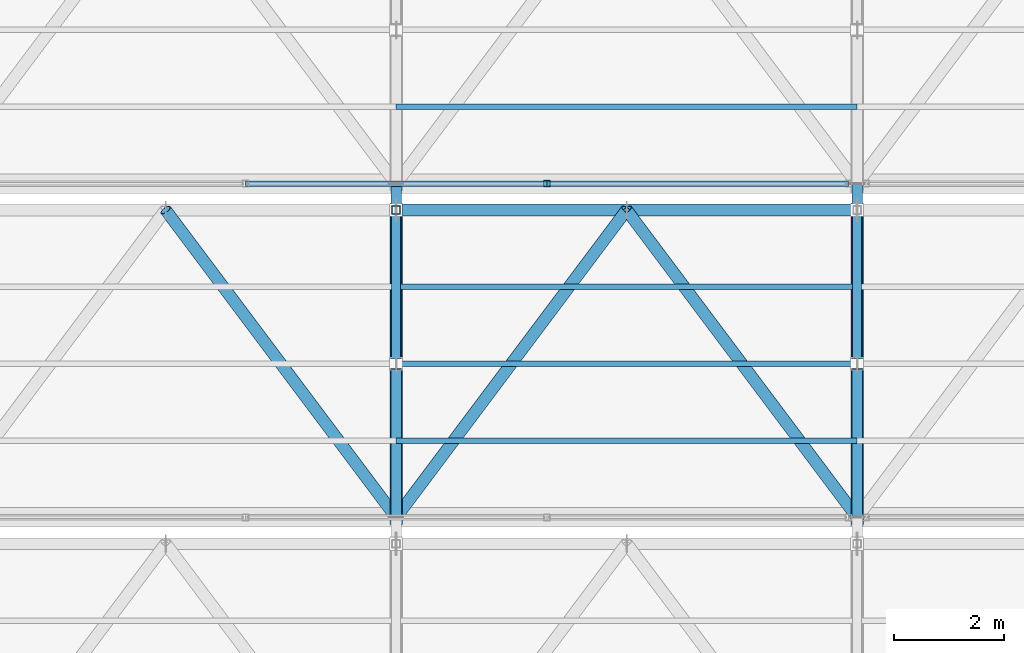
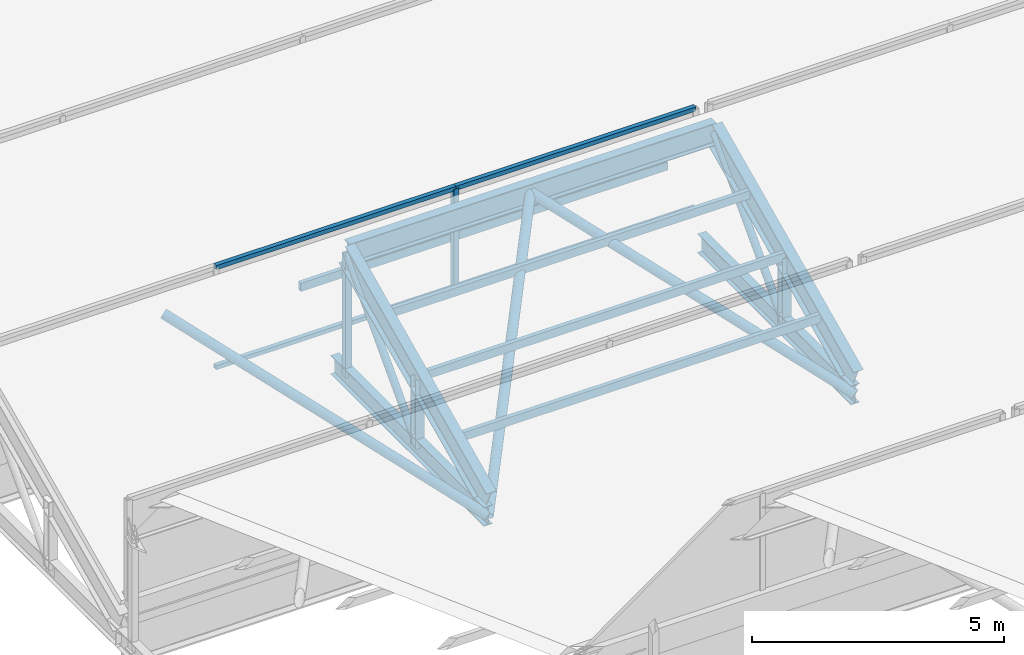
# One storey, part 101 of 217: 22 members, 1 element without a shape of its own.
"""IFC4 building model written with IfcOpenShell, lengths in metres."""

from ifc_helpers import new_model, si_unit, direction, frame, origin, origin_2d, place, context, subcontext, project, spatial, hollow_rectangle, hollow_circle, i_section, extrude, material, material_profile, profile_set, type_object, element, aggregate, save


model = new_model("IFC4")

# Units and contexts
model_context = context("Model", 3, precision=1e-05, world=origin(), true_north=direction((0.0, 1.0)))
body_context = subcontext(model_context, "Body", "Model", "MODEL_VIEW")
ifc_project = project(units=[si_unit("LENGTHUNIT", "METRE"), si_unit("AREAUNIT", "SQUARE_METRE"), si_unit("VOLUMEUNIT", "CUBIC_METRE"), si_unit("PLANEANGLEUNIT", "RADIAN"), si_unit("MASSUNIT", "GRAM", prefix="KILO")], contexts=[model_context])

# Site, building, storey
site_placement = place(None, origin())
site = spatial("IfcSite", under=ifc_project, at=site_placement, CompositionType="ELEMENT")
building_placement = place(site_placement, origin())
building = spatial("IfcBuilding", under=site, at=building_placement, Name="Zuvorla Pavilion Media Centre", CompositionType="ELEMENT")
storey_placement = place(building_placement, frame((0.0, 0.0, 9.60009765625)))
storey = spatial("IfcBuildingStorey", under=building, at=storey_placement, Name="L02", CompositionType="ELEMENT", Elevation=9.60009765625)

# Curtain wall, members
ifc_material_1 = material(Name="Unitised anodised aluminium and solar glass curtain wall", Category="aluminium")
curtain_wall_type = type_object("IfcCurtainWallType", Name="CW-SYS-88", PredefinedType="USERDEFINED", material=ifc_material_1)
curtain_wall_placement = place(storey_placement, origin())
curtain_wall = element("IfcCurtainWall", 1, at=curtain_wall_placement, inside=storey, type_object=curtain_wall_type, Name="L02 curtain wall CW88 208", ObjectType="CURTAIN WALL", PredefinedType="USERDEFINED")
ifc_material_2 = material(Name="Anodised aluminium 6063-T6", Category="aluminium")
ifc_material_profile_1 = material_profile(ifc_material_2, hollow_rectangle(XDim=0.1201171875, YDim=0.1201171875, WallThickness=0.0048828125, at=origin_2d()), Name="ALU MULL 120x120")
ifc_profile_set_1 = profile_set([ifc_material_profile_1], Name="Anodised aluminium 6063-T6")
member_type_1 = type_object("IfcMemberType", Name="CW-MULL-120", PredefinedType="MULLION", material=ifc_profile_set_1)
member_1_placement = place(storey_placement, frame((77.94677734375, 107.840087890625, 0.0), z_axis=(0.0, 0.0, 1.0), x_axis=(1.0, 0.0, 0.0)))
member_1 = element("IfcMember", 2, at=member_1_placement, type_object=member_type_1, Name="CW88 mullion 3", PredefinedType="MULLION", context=body_context, shape_type="SweptSolid", body=[
    extrude(hollow_rectangle(XDim=0.1201171875, YDim=0.1201171875, WallThickness=0.0048828125, at=origin_2d()), origin(), (0.0, 0.0, 1.0), 2.419921875),
])
ifc_material_profile_2 = material_profile(ifc_material_2, hollow_rectangle(XDim=0.10009765625, YDim=0.10009765625, WallThickness=0.00439453125, at=origin_2d()), Name="ALU TRAN 100x100")
ifc_profile_set_2 = profile_set([ifc_material_profile_2], Name="Anodised aluminium 6063-T6")
member_type_2 = type_object("IfcMemberType", Name="CW-TRAN-100", PredefinedType="USERDEFINED", material=ifc_profile_set_2)
member_2_placement = place(storey_placement, frame((72.453369140625, 107.840087890625, 0.0), z_axis=(1.0, 0.0, 0.0), x_axis=(0.0, 1.0, 0.0)))
member_2 = element("IfcMember", 3, at=member_2_placement, type_object=member_type_2, Name="CW88 transom 2.1", ObjectType="TRANSOM", PredefinedType="USERDEFINED", context=body_context, shape_type="SweptSolid", body=[
    extrude(hollow_rectangle(XDim=0.10009765625, YDim=0.10009765625, WallThickness=0.00439453125, at=origin_2d()), origin(), (0.0, 0.0, 1.0), 5.493408203125),
])
member_3_placement = place(storey_placement, frame((72.453369140625, 107.840087890625, 2.419921875), z_axis=(1.0, 0.0, 0.0), x_axis=(0.0, 1.0, 0.0)))
member_3 = element("IfcMember", 4, at=member_3_placement, type_object=member_type_2, Name="CW88 transom 2.2", ObjectType="TRANSOM", PredefinedType="USERDEFINED", context=body_context, shape_type="SweptSolid", body=[
    extrude(hollow_rectangle(XDim=0.10009765625, YDim=0.10009765625, WallThickness=0.00439453125, at=origin_2d()), origin(), (0.0, 0.0, 1.0), 5.493408203125),
])
member_4_placement = place(storey_placement, frame((77.94677734375, 107.840087890625, 0.0), z_axis=(1.0, 0.0, 0.0), x_axis=(0.0, 1.0, 0.0)))
member_4 = element("IfcMember", 5, at=member_4_placement, type_object=member_type_2, Name="CW88 transom 3.1", ObjectType="TRANSOM", PredefinedType="USERDEFINED", context=body_context, shape_type="SweptSolid", body=[
    extrude(hollow_rectangle(XDim=0.10009765625, YDim=0.10009765625, WallThickness=0.00439453125, at=origin_2d()), origin(), (0.0, 0.0, 1.0), 5.4931640625),
])
member_5_placement = place(storey_placement, frame((77.94677734375, 107.840087890625, 2.419921875), z_axis=(1.0, 0.0, 0.0), x_axis=(0.0, 1.0, 0.0)))
member_5 = element("IfcMember", 6, at=member_5_placement, type_object=member_type_2, Name="CW88 transom 3.2", ObjectType="TRANSOM", PredefinedType="USERDEFINED", context=body_context, shape_type="SweptSolid", body=[
    extrude(hollow_rectangle(XDim=0.10009765625, YDim=0.10009765625, WallThickness=0.00439453125, at=origin_2d()), origin(), (0.0, 0.0, 1.0), 5.4931640625),
])
aggregate(curtain_wall, [member_1, member_2, member_3, member_4, member_5])

# Members
ifc_material_3 = material(Name="Steel S355", Category="steel")
ifc_material_profile_3 = material_profile(ifc_material_3, hollow_circle(Radius=0.084228515625, WallThickness=0.008056640625, at=origin_2d()), Name="CHS 168.3x8")
ifc_profile_set_3 = profile_set([ifc_material_profile_3], Name="Steel S355")
member_type_3 = type_object("IfcMemberType", Name="MEM-BRC-CHS168", PredefinedType="BRACE", material=ifc_profile_set_3)
for number, where, z_axis, x_axis, name in (
    (7, (75.199951171875, 104.56005859375, -0.880126953125), (0.0, 0.68676242614, 0.726881950555), (-1.0, 0.0, 0.0), "L02 diagonal brace TB03 227"),
    (8, (83.60009765625, 104.56005859375, -0.880126953125), (0.0, 0.68676242614, 0.726881950555), (-1.0, 0.0, 0.0), "L02 diagonal brace TB03 232"),
):
    element("IfcMember", number, at=place(storey_placement, frame(where, z_axis=z_axis, x_axis=x_axis)), inside=storey, type_object=member_type_3, Name=name, PredefinedType="BRACE", context=body_context, shape_type="SweptSolid", body=[
        extrude(hollow_circle(Radius=0.084228515625, WallThickness=0.008056640625, at=origin_2d()), origin(), (0.0, 0.0, 1.0), 4.0771484375),
    ])
ifc_material_profile_4 = material_profile(ifc_material_3, hollow_circle(Radius=0.109619140625, WallThickness=0.010009765625, at=origin_2d()), Name="CHS 219.1x10")
ifc_profile_set_4 = profile_set([ifc_material_profile_4], Name="Steel S355")
member_type_4 = type_object("IfcMemberType", Name="MEM-BRC-CHS219", PredefinedType="BRACE", material=ifc_profile_set_4)
for number, where, z_axis, x_axis, name in (
    (9, (71.0, 107.360107421875, 2.08349609375), (0.552511596944, -0.736703540702, -0.389870271191), (0.800008370399, 0.599988839305, 0.0), "L02 diagonal brace TB02 266"),
    (10, (75.199951171875, 101.760009765625, -0.880126953125), (0.552511596944, 0.736703540702, 0.389870271191), (-0.800008370399, 0.599988839305, 0.0), "L02 diagonal brace TB02 271"),
):
    element("IfcMember", number, at=place(storey_placement, frame(where, z_axis=z_axis, x_axis=x_axis)), inside=storey, type_object=member_type_4, Name=name, PredefinedType="BRACE", context=body_context, shape_type="SweptSolid", body=[
        extrude(hollow_circle(Radius=0.109619140625, WallThickness=0.010009765625, at=origin_2d()), origin(), (0.0, 0.0, 1.0), 7.6015625),
    ])
member_6_placement = place(storey_placement, frame((79.39990234375, 107.360107421875, 2.08349609375), z_axis=(0.552533909139, -0.736690467788, -0.389863352885), x_axis=(0.79999162962, 0.600011160345, 0.0)))
element("IfcMember", 11, at=member_6_placement, inside=storey, type_object=member_type_4, Name="L02 diagonal brace TB02 272", PredefinedType="BRACE", context=body_context, shape_type="SweptSolid", body=[
    extrude(hollow_circle(Radius=0.109619140625, WallThickness=0.010009765625, at=origin_2d()), origin(), (0.0, 0.0, 1.0), 7.601806640625),
])
ifc_material_profile_5 = material_profile(ifc_material_3, i_section(OverallWidth=0.19140625, OverallDepth=0.4599609375, WebThickness=0.010009765625, FlangeThickness=0.01611328125, FilletRadius=0.01025390625, at=origin_2d()), Name="UB 457x191x82")
ifc_profile_set_5 = profile_set([ifc_material_profile_5], Name="Steel S355")
member_type_5 = type_object("IfcMemberType", Name="MEM-CHD-UB457", PredefinedType="CHORD", material=ifc_profile_set_5)
for number, where, z_axis, x_axis, name in (
    (12, (75.199951171875, 101.760009765625, -0.880126953125), (0.0, 1.0, 0.0), (-1.0, 0.0, 0.0), "L02 chord TC03 224"),
    (13, (83.60009765625, 101.760009765625, -0.880126953125), (0.0, 1.0, 0.0), (-1.0, 0.0, 0.0), "L02 chord TC03 229"),
):
    element("IfcMember", number, at=place(storey_placement, frame(where, z_axis=z_axis, x_axis=x_axis)), inside=storey, type_object=member_type_5, Name=name, PredefinedType="CHORD", context=body_context, shape_type="SweptSolid", body=[
        extrude(i_section(OverallWidth=0.19140625, OverallDepth=0.4599609375, WebThickness=0.010009765625, FlangeThickness=0.01611328125, FilletRadius=0.01025390625, at=origin_2d()), origin(), (0.0, 0.0, 1.0), 6.080078125),
    ])
ifc_material_profile_6 = material_profile(ifc_material_3, i_section(OverallWidth=0.2099609375, OverallDepth=0.53662109375, WebThickness=0.0107421875, FlangeThickness=0.017333984375, FilletRadius=0.0126953125, at=origin_2d()), Name="UB 533x210x101")
ifc_profile_set_6 = profile_set([ifc_material_profile_6], Name="Steel S355")
member_type_6 = type_object("IfcMemberType", Name="MEM-CHD-UB533", PredefinedType="CHORD", material=ifc_profile_set_6)
member_7_placement = place(storey_placement, frame((75.199951171875, 107.360107421875, 2.08349609375), z_axis=(1.0, 0.0, 0.0), x_axis=(0.0, 1.0, 0.0)))
element("IfcMember", 14, at=member_7_placement, inside=storey, type_object=member_type_6, Name="L02 chord TC02 270", PredefinedType="CHORD", context=body_context, shape_type="SweptSolid", body=[
    extrude(i_section(OverallWidth=0.2099609375, OverallDepth=0.53662109375, WebThickness=0.0107421875, FlangeThickness=0.017333984375, FilletRadius=0.0126953125, at=origin_2d()), origin(), (0.0, 0.0, 1.0), 8.400146484375),
])
ifc_material_profile_7 = material_profile(ifc_material_3, i_section(OverallWidth=0.22900390625, OverallDepth=0.6123046875, WebThickness=0.011962890625, FlangeThickness=0.01953125, FilletRadius=0.0126953125, at=origin_2d()), Name="UB 610x229x125")
ifc_profile_set_7 = profile_set([ifc_material_profile_7], Name="Steel S355")
member_type_7 = type_object("IfcMemberType", Name="MEM-CHD-UB610", PredefinedType="CHORD", material=ifc_profile_set_7)
for number, where, z_axis, x_axis, name in (
    (15, (75.199951171875, 101.760009765625, -0.5166015625), (0.0, 0.907005731366, 0.421118277053), (-1.0, 0.0, 0.0), "L02 chord TC01 225"),
    (16, (83.60009765625, 101.760009765625, -0.5166015625), (0.0, 0.907005731366, 0.421118277053), (-1.0, 0.0, 0.0), "L02 chord TC01 230"),
):
    element("IfcMember", number, at=place(storey_placement, frame(where, z_axis=z_axis, x_axis=x_axis)), inside=storey, type_object=member_type_7, Name=name, PredefinedType="CHORD", context=body_context, shape_type="SweptSolid", body=[
        extrude(i_section(OverallWidth=0.22900390625, OverallDepth=0.6123046875, WebThickness=0.011962890625, FlangeThickness=0.01953125, FilletRadius=0.0126953125, at=origin_2d()), origin(), (0.0, 0.0, 1.0), 6.17431640625),
    ])
ifc_material_profile_8 = material_profile(ifc_material_3, hollow_rectangle(XDim=0.10009765625, YDim=0.199951171875, WallThickness=0.008056640625, at=origin_2d()), Name="RHS 200x100x8")
ifc_profile_set_8 = profile_set([ifc_material_profile_8], Name="Steel S355")
member_type_8 = type_object("IfcMemberType", Name="MEM-PUR-RHS200", PredefinedType="PURLIN", material=ifc_profile_set_8)
for number, where, z_axis, x_axis, name in (
    (17, (75.199951171875, 103.159912109375, 0.133544921875), (1.0, 0.0, 0.0), (0.0, 1.0, 0.0), "L02 purlin PR01 273"),
    (18, (75.199951171875, 104.56005859375, 0.783447265625), (1.0, 0.0, 0.0), (0.0, 1.0, 0.0), "L02 purlin PR01 274"),
    (19, (75.199951171875, 105.9599609375, 1.43359375), (1.0, 0.0, 0.0), (0.0, 1.0, 0.0), "L02 purlin PR01 275"),
    (20, (75.199951171875, 109.239990234375, 0.133544921875), (1.0, 0.0, 0.0), (0.0, 1.0, 0.0), "L02 purlin PR01 366"),
):
    element("IfcMember", number, at=place(storey_placement, frame(where, z_axis=z_axis, x_axis=x_axis)), inside=storey, type_object=member_type_8, Name=name, PredefinedType="PURLIN", context=body_context, shape_type="SweptSolid", body=[
        extrude(hollow_rectangle(XDim=0.10009765625, YDim=0.199951171875, WallThickness=0.008056640625, at=origin_2d()), origin(), (0.0, 0.0, 1.0), 8.400146484375),
    ])
ifc_material_profile_9 = material_profile(ifc_material_3, hollow_rectangle(XDim=0.14990234375, YDim=0.14990234375, WallThickness=0.008056640625, at=origin_2d()), Name="SHS 150x150x8")
ifc_profile_set_9 = profile_set([ifc_material_profile_9], Name="Steel S355")
member_type_9 = type_object("IfcMemberType", Name="MEM-STR-SHS150", PredefinedType="STRUT", material=ifc_profile_set_9)
member_8_placement = place(storey_placement, frame((75.199951171875, 107.360107421875, -0.880126953125), z_axis=(0.0, 0.0, 1.0), x_axis=(1.0, 0.0, 0.0)))
element("IfcMember", 21, at=member_8_placement, inside=storey, type_object=member_type_9, Name="L02 vertical strut TS01 226", PredefinedType="STRUT", context=body_context, shape_type="SweptSolid", body=[
    extrude(hollow_rectangle(XDim=0.14990234375, YDim=0.14990234375, WallThickness=0.008056640625, at=origin_2d()), origin(), (0.0, 0.0, 1.0), 2.963623046875),
])
ifc_material_profile_10 = material_profile(ifc_material_3, i_section(OverallWidth=0.205810546875, OverallDepth=0.209716796875, WebThickness=0.009521484375, FlangeThickness=0.01416015625, FilletRadius=0.01025390625, at=origin_2d()), Name="UC 203x203x60")
ifc_profile_set_10 = profile_set([ifc_material_profile_10], Name="Steel S355")
member_type_10 = type_object("IfcMemberType", Name="MEM-STR-UC203", PredefinedType="STRUT", material=ifc_profile_set_10)
for number, where, z_axis, x_axis, name in (
    (22, (75.199951171875, 104.56005859375, -0.880126953125), (0.0, 0.0, 1.0), (1.0, 0.0, 0.0), "L02 vertical strut TS02 228"),
    (23, (83.60009765625, 104.56005859375, -0.880126953125), (0.0, 0.0, 1.0), (1.0, 0.0, 0.0), "L02 vertical strut TS02 233"),
):
    element("IfcMember", number, at=place(storey_placement, frame(where, z_axis=z_axis, x_axis=x_axis)), inside=storey, type_object=member_type_10, Name=name, PredefinedType="STRUT", context=body_context, shape_type="SweptSolid", body=[
        extrude(i_section(OverallWidth=0.205810546875, OverallDepth=0.209716796875, WebThickness=0.009521484375, FlangeThickness=0.01416015625, FilletRadius=0.01025390625, at=origin_2d()), origin(), (0.0, 0.0, 1.0), 1.66357421875),
    ])

save(model, "model.ifc")
